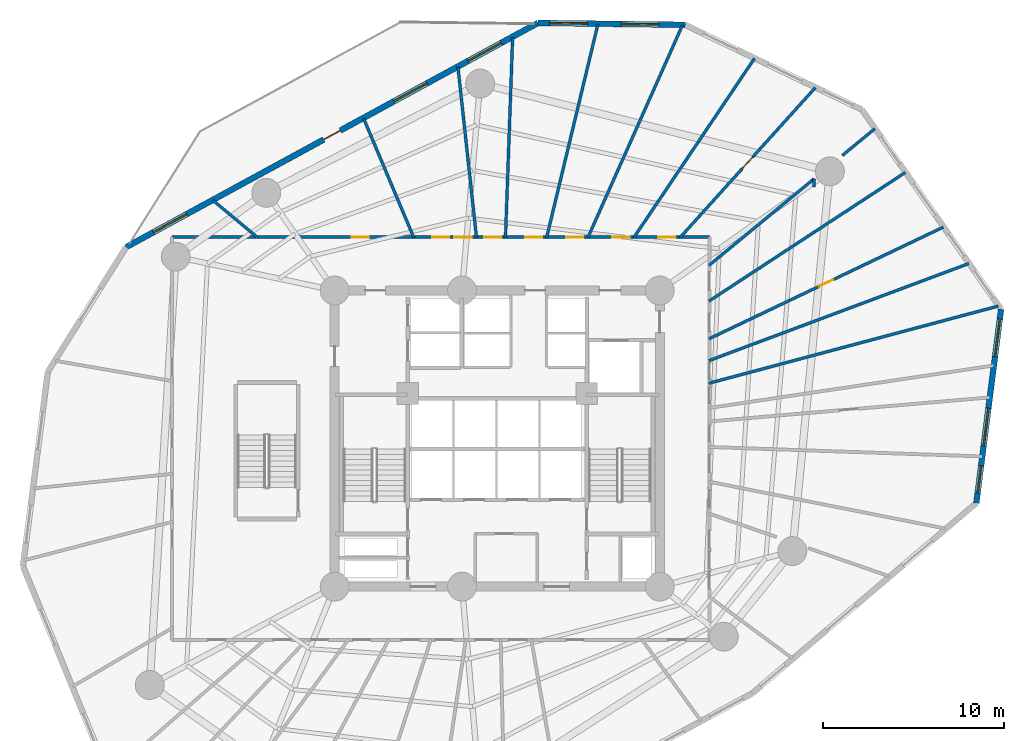
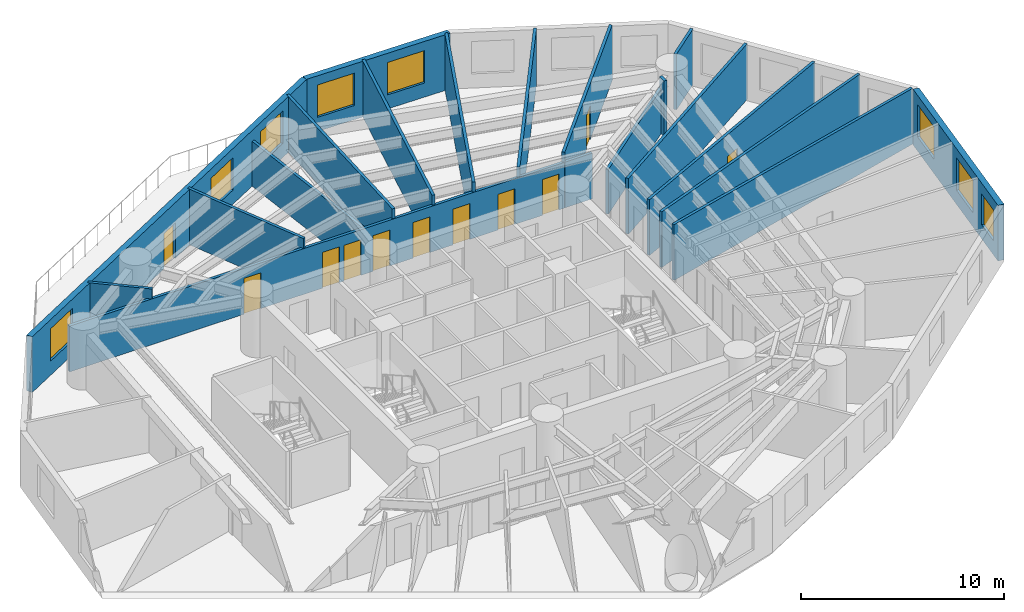
# One storey, part 6 of 9: 19 walls, 11 doors, 8 windows, 19 openings.
"""IFC4 building model written with IfcOpenShell, lengths in metres."""

from ifc_helpers import new_model, si_unit, direction, frame, frame_2d, origin, origin_with_axes, place, context, subcontext, project, spatial, rectangle, extrude, source, transform, mapped, material, layer, layer_set, type_object, element, fill, save


model = new_model("IFC4")

# Units and contexts
model_context = context("Model", 3, precision=1e-05, world=origin(), true_north=direction((0.0, 1.0)))
body_context = subcontext(model_context, "Body", "Model", "MODEL_VIEW")
ifc_project = project(units=[si_unit("LENGTHUNIT", "METRE"), si_unit("AREAUNIT", "SQUARE_METRE"), si_unit("VOLUMEUNIT", "CUBIC_METRE"), si_unit("PLANEANGLEUNIT", "RADIAN"), si_unit("MASSUNIT", "GRAM", prefix="KILO")], contexts=[model_context])

# Site, building, storey
site_placement = place(None, origin())
site = spatial("IfcSite", under=ifc_project, at=site_placement, CompositionType="ELEMENT")
building_placement = place(site_placement, origin())
building = spatial("IfcBuilding", under=site, at=building_placement, Name="Karkom Vertical University and Central Library", CompositionType="ELEMENT")
storey_placement = place(building_placement, frame((0.0, 0.0, 26.5)))
storey = spatial("IfcBuildingStorey", under=building, at=storey_placement, Name="L06", CompositionType="ELEMENT", Elevation=26.5)

# Wall, openings, windows
ifc_material_1 = material(Name="Brick-faced precast concrete C45/55", Category="masonry")
ifc_layer_1 = layer(ifc_material_1, 0.320068359375)
ifc_layer_set_1 = layer_set([ifc_layer_1], Name="Brick-faced precast concrete C45/55")
wall_type_1 = type_object("IfcWallType", Name="ENV-WL-BRK-320", PredefinedType="SOLIDWALL", material=ifc_layer_set_1)
wall_1_placement = place(storey_placement, frame((55.030029296875, 22.92529296875, 0.0), z_axis=(0.0, 0.0, 1.0), x_axis=(0.126495485641, 0.991967182982, 0.0)))
wall_1 = element("IfcWall", 1, at=wall_1_placement, inside=storey, type_object=wall_type_1, Name="Level 06 Brick-Faced Precast Facade Wall 08", PredefinedType="SOLIDWALL", context=body_context, shape_type="SweptSolid", body=[
    extrude(rectangle(XDim=10.829345703125, YDim=0.320068359375, at=frame_2d((5.41455078125, 0.0))), origin(), (0.0, 0.0, 1.0), 3.35009765625),
])
opening_1_placement = place(wall_1_placement, frame((0.580322265625, 0.0, 0.85009765625)))
opening_1 = element("IfcOpeningElement", 2, at=opening_1_placement, cuts=wall_1, Name="Opening WN-05", PredefinedType="OPENING", context=body_context, shape_type="SweptSolid", body=[
    extrude(rectangle(XDim=1.5, YDim=1.85009765625, at=frame_2d((0.75, 0.925048828125))), frame((0.0, 0.169921875, 0.0), z_axis=(0.0, -1.0, 0.0), x_axis=(1.0, 0.0, 0.0)), (0.0, 0.0, 1.0), 0.340087890625),
])
opening_2_placement = place(wall_1_placement, frame((3.194091796875, 0.0, 0.85009765625)))
opening_2 = element("IfcOpeningElement", 3, at=opening_2_placement, cuts=wall_1, Name="Opening WN-03", PredefinedType="OPENING", context=body_context, shape_type="SweptSolid", body=[
    extrude(rectangle(XDim=2.10009765625, YDim=1.949951171875, at=frame_2d((1.050048828125, 0.97509765625))), frame((0.0, 0.169921875, 0.0), z_axis=(0.0, -1.0, 0.0), x_axis=(1.0, 0.0, 0.0)), (0.0, 0.0, 1.0), 0.340087890625),
])
opening_3_placement = place(wall_1_placement, frame((8.167236328125, 0.0, 0.85009765625)))
opening_3 = element("IfcOpeningElement", 4, at=opening_3_placement, cuts=wall_1, Name="Opening WN-03", PredefinedType="OPENING", context=body_context, shape_type="SweptSolid", body=[
    extrude(rectangle(XDim=2.10009765625, YDim=1.949951171875, at=frame_2d((1.050048828125, 0.97509765625))), frame((0.0, 0.169921875, 0.0), z_axis=(0.0, -1.0, 0.0), x_axis=(1.0, 0.0, 0.0)), (0.0, 0.0, 1.0), 0.340087890625),
])
ifc_material_2 = material(Name="Aluminium thermal-break frame with solar-control IGU", Category="aluminium")
window_type_1 = type_object("IfcWindowType", Name="ENV-WIN-WN-03", PartitioningType="SINGLE_PANEL", PredefinedType="WINDOW", material=ifc_material_2)
shared_shape_1 = source(origin_with_axes(), body_context, "Body", "SweptSolid", [
    extrude(rectangle(XDim=2.10009765625, YDim=1.949951171875, at=frame_2d((1.050048828125, 0.97509765625))), frame((0.0, 0.030029296875, 0.0), z_axis=(0.0, -1.0, 0.0), x_axis=(1.0, 0.0, 0.0)), (0.0, 0.0, 1.0), 0.06005859375),
])
window_1_placement = place(opening_2_placement, origin())
window_1 = element("IfcWindow", 5, at=window_1_placement, inside=storey, type_object=window_type_1, Name="Level 06 Punched Window 8.2", OverallHeight=1.949951171875, OverallWidth=2.10009765625, PartitioningType="SINGLE_PANEL", PredefinedType="WINDOW", context=body_context, shape_type="MappedRepresentation", body=[
    mapped(shared_shape_1, transform((0.0, 0.0, 0.0), scale=1.0)),
])
fill(opening_2, window_1)
window_2_placement = place(opening_3_placement, origin())
window_2 = element("IfcWindow", 6, at=window_2_placement, inside=storey, type_object=window_type_1, Name="Level 06 Punched Window 8.3", OverallHeight=1.949951171875, OverallWidth=2.10009765625, PartitioningType="SINGLE_PANEL", PredefinedType="WINDOW", context=body_context, shape_type="MappedRepresentation", body=[
    mapped(shared_shape_1, transform((0.0, 0.0, 0.0), scale=1.0)),
])
fill(opening_3, window_2)
window_type_2 = type_object("IfcWindowType", Name="ENV-WIN-WN-05", PartitioningType="SINGLE_PANEL", PredefinedType="WINDOW", material=ifc_material_2)
shared_shape_2 = source(origin_with_axes(), body_context, "Body", "SweptSolid", [
    extrude(rectangle(XDim=1.5, YDim=1.85009765625, at=frame_2d((0.75, 0.925048828125))), frame((0.0, 0.030029296875, 0.0), z_axis=(0.0, -1.0, 0.0), x_axis=(1.0, 0.0, 0.0)), (0.0, 0.0, 1.0), 0.06005859375),
])
window_3_placement = place(opening_1_placement, origin())
window_3 = element("IfcWindow", 7, at=window_3_placement, inside=storey, type_object=window_type_2, Name="Level 06 Punched Window 8.1", OverallHeight=1.85009765625, OverallWidth=1.5, PartitioningType="SINGLE_PANEL", PredefinedType="WINDOW", context=body_context, shape_type="MappedRepresentation", body=[
    mapped(shared_shape_2, transform((0.0, 0.0, 0.0), scale=1.0)),
])
fill(opening_1, window_3)

wall_2_placement = place(storey_placement, frame((38.91064453125, 49.40966796875, 0.0), z_axis=(0.0, 0.0, 1.0), x_axis=(-0.999916274404, 0.012940022483, 0.0)))
wall_2 = element("IfcWall", 8, at=wall_2_placement, inside=storey, type_object=wall_type_1, Name="Level 06 Brick-Faced Precast Facade Wall 11", PredefinedType="SOLIDWALL", context=body_context, shape_type="SweptSolid", body=[
    extrude(rectangle(XDim=8.150634765625, YDim=0.320068359375, at=frame_2d((4.0751953125, 0.0))), origin(), (0.0, 0.0, 1.0), 3.35009765625),
])
opening_4_placement = place(wall_2_placement, frame((1.457275390625, 0.0, 0.85009765625)))
opening_4 = element("IfcOpeningElement", 9, at=opening_4_placement, cuts=wall_2, Name="Opening WN-03", PredefinedType="OPENING", context=body_context, shape_type="SweptSolid", body=[
    extrude(rectangle(XDim=2.10009765625, YDim=1.949951171875, at=frame_2d((1.050048828125, 0.97509765625))), frame((0.0, 0.169921875, 0.0), z_axis=(0.0, -1.0, 0.0), x_axis=(1.0, 0.0, 0.0)), (0.0, 0.0, 1.0), 0.340087890625),
])
opening_5_placement = place(wall_2_placement, frame((5.4169921875, 0.0, 0.85009765625)))
opening_5 = element("IfcOpeningElement", 10, at=opening_5_placement, cuts=wall_2, Name="Opening WN-03", PredefinedType="OPENING", context=body_context, shape_type="SweptSolid", body=[
    extrude(rectangle(XDim=2.10009765625, YDim=1.949951171875, at=frame_2d((1.050048828125, 0.97509765625))), frame((0.0, 0.169921875, 0.0), z_axis=(0.0, -1.0, 0.0), x_axis=(1.0, 0.0, 0.0)), (0.0, 0.0, 1.0), 0.340087890625),
])
window_4_placement = place(opening_4_placement, origin())
window_4 = element("IfcWindow", 11, at=window_4_placement, inside=storey, type_object=window_type_1, Name="Level 06 Punched Window 11.1", OverallHeight=1.949951171875, OverallWidth=2.10009765625, PartitioningType="SINGLE_PANEL", PredefinedType="WINDOW", context=body_context, shape_type="MappedRepresentation", body=[
    mapped(shared_shape_1, transform((0.0, 0.0, 0.0), scale=1.0)),
])
fill(opening_4, window_4)
window_5_placement = place(opening_5_placement, origin())
window_5 = element("IfcWindow", 12, at=window_5_placement, inside=storey, type_object=window_type_1, Name="Level 06 Punched Window 11.2", OverallHeight=1.949951171875, OverallWidth=2.10009765625, PartitioningType="SINGLE_PANEL", PredefinedType="WINDOW", context=body_context, shape_type="MappedRepresentation", body=[
    mapped(shared_shape_1, transform((0.0, 0.0, 0.0), scale=1.0)),
])
fill(opening_5, window_5)

# Wall, openings, door, windows
wall_3_placement = place(storey_placement, frame((30.7607421875, 49.51513671875, 0.0), z_axis=(0.0, 0.0, 1.0), x_axis=(-0.878317970129, -0.478076922, 0.0)))
wall_3 = element("IfcWall", 13, at=wall_3_placement, inside=storey, type_object=wall_type_1, Name="Level 06 Brick-Faced Precast Facade Wall 12", PredefinedType="SOLIDWALL", context=body_context, shape_type="SweptSolid", body=[
    extrude(rectangle(XDim=25.977294921875, YDim=0.320068359375, at=frame_2d((12.98876953125, 0.0))), origin(), (0.0, 0.0, 1.0), 3.35009765625),
])
opening_6_placement = place(wall_3_placement, frame((2.309326171875, 0.0, 0.85009765625)))
opening_6 = element("IfcOpeningElement", 14, at=opening_6_placement, cuts=wall_3, Name="Opening WN-03", PredefinedType="OPENING", context=body_context, shape_type="SweptSolid", body=[
    extrude(rectangle(XDim=2.10009765625, YDim=1.949951171875, at=frame_2d((1.050048828125, 0.97509765625))), frame((0.0, 0.169921875, 0.0), z_axis=(0.0, -1.0, 0.0), x_axis=(1.0, 0.0, 0.0)), (0.0, 0.0, 1.0), 0.340087890625),
])
opening_7_placement = place(wall_3_placement, frame((6.99755859375, 0.0, 0.85009765625)))
opening_7 = element("IfcOpeningElement", 15, at=opening_7_placement, cuts=wall_3, Name="Opening WN-03", PredefinedType="OPENING", context=body_context, shape_type="SweptSolid", body=[
    extrude(rectangle(XDim=2.10009765625, YDim=1.949951171875, at=frame_2d((1.050048828125, 0.97509765625))), frame((0.0, 0.169921875, 0.0), z_axis=(0.0, -1.0, 0.0), x_axis=(1.0, 0.0, 0.0)), (0.0, 0.0, 1.0), 0.340087890625),
])
opening_8_placement = place(wall_3_placement, frame((22.154052734375, 0.0, 0.85009765625)))
opening_8 = element("IfcOpeningElement", 16, at=opening_8_placement, cuts=wall_3, Name="Opening WN-03", PredefinedType="OPENING", context=body_context, shape_type="SweptSolid", body=[
    extrude(rectangle(XDim=2.10009765625, YDim=1.949951171875, at=frame_2d((1.050048828125, 0.97509765625))), frame((0.0, 0.169921875, 0.0), z_axis=(0.0, -1.0, 0.0), x_axis=(1.0, 0.0, 0.0)), (0.0, 0.0, 1.0), 0.340087890625),
])
opening_9_placement = place(wall_3_placement, frame((12.4638671875, 0.0, 0.0)))
opening_9 = element("IfcOpeningElement", 17, at=opening_9_placement, cuts=wall_3, Name="Opening TD-1", PredefinedType="OPENING", context=body_context, shape_type="SweptSolid", body=[
    extrude(rectangle(XDim=1.050048828125, YDim=2.1201171875, at=frame_2d((0.52490234375, 1.06005859375))), frame((0.0, 0.169921875, 0.0), z_axis=(0.0, -1.0, 0.0), x_axis=(1.0, 0.0, 0.0)), (0.0, 0.0, 1.0), 0.340087890625),
])
ifc_material_3 = material(Name="Thermally broken glazed aluminium terrace door", Category="aluminium")
door_type_1 = type_object("IfcDoorType", Name="ENV-DR-TERR", OperationType="NOTDEFINED", PredefinedType="DOOR", material=ifc_material_3)
shared_shape_3 = source(origin_with_axes(), body_context, "Body", "SweptSolid", [
    extrude(rectangle(XDim=1.050048828125, YDim=2.1201171875, at=frame_2d((0.52490234375, 1.06005859375))), frame((0.0, 0.02490234375, 0.0), z_axis=(0.0, -1.0, 0.0), x_axis=(1.0, 0.0, 0.0)), (0.0, 0.0, 1.0), 0.050048828125),
])
door_1_placement = place(opening_9_placement, origin())
door_1 = element("IfcDoor", 18, at=door_1_placement, inside=storey, type_object=door_type_1, Name="Level 06 Outdoor Terrace Access Door", OperationType="SINGLE_SWING_LEFT", OverallHeight=2.1201171875, OverallWidth=1.050048828125, PredefinedType="DOOR", context=body_context, shape_type="MappedRepresentation", body=[
    mapped(shared_shape_3, transform((0.0, 0.0, 0.0), scale=1.0)),
])
fill(opening_9, door_1)
window_6_placement = place(opening_6_placement, origin())
window_6 = element("IfcWindow", 19, at=window_6_placement, inside=storey, type_object=window_type_1, Name="Level 06 Punched Window 12.1", OverallHeight=1.949951171875, OverallWidth=2.10009765625, PartitioningType="SINGLE_PANEL", PredefinedType="WINDOW", context=body_context, shape_type="MappedRepresentation", body=[
    mapped(shared_shape_1, transform((0.0, 0.0, 0.0), scale=1.0)),
])
fill(opening_6, window_6)
window_7_placement = place(opening_7_placement, origin())
window_7 = element("IfcWindow", 20, at=window_7_placement, inside=storey, type_object=window_type_1, Name="Level 06 Punched Window 12.2", OverallHeight=1.949951171875, OverallWidth=2.10009765625, PartitioningType="SINGLE_PANEL", PredefinedType="WINDOW", context=body_context, shape_type="MappedRepresentation", body=[
    mapped(shared_shape_1, transform((0.0, 0.0, 0.0), scale=1.0)),
])
fill(opening_7, window_7)
window_8_placement = place(opening_8_placement, origin())
window_8 = element("IfcWindow", 21, at=window_8_placement, inside=storey, type_object=window_type_1, Name="Level 06 Punched Window 12.4", OverallHeight=1.949951171875, OverallWidth=2.10009765625, PartitioningType="SINGLE_PANEL", PredefinedType="WINDOW", context=body_context, shape_type="MappedRepresentation", body=[
    mapped(shared_shape_1, transform((0.0, 0.0, 0.0), scale=1.0)),
])
fill(opening_8, window_8)

# Wall, openings, doors
ifc_material_4 = material(Name="Insulated metal-stud drywall 160mm", Category="gypsum")
ifc_layer_2 = layer(ifc_material_4, 0.159912109375)
ifc_layer_set_2 = layer_set([ifc_layer_2], Name="Insulated metal-stud drywall 160mm")
wall_type_2 = type_object("IfcWallType", Name="INT-WL-COR-160", PredefinedType="PARTITIONING", material=ifc_layer_set_2)
wall_4_placement = place(storey_placement, frame((10.5, 37.64990234375, 0.0), z_axis=(0.0, 0.0, 1.0), x_axis=(1.0, 0.0, 0.0)))
wall_4 = element("IfcWall", 22, at=wall_4_placement, inside=storey, type_object=wall_type_2, Name="Level 06 Interior Partition Wall Level 06-CORW-CW-003", PredefinedType="PARTITIONING", context=body_context, shape_type="SweptSolid", body=[
    extrude(rectangle(XDim=29.75, YDim=0.159912109375, at=frame_2d((14.875, 0.0))), origin(), (0.0, 0.0, 1.0), 2.75),
])
opening_10_placement = place(wall_4_placement, frame((26.906494140625, 0.0, 0.0)))
opening_10 = element("IfcOpeningElement", 23, at=opening_10_placement, cuts=wall_4, Name="Opening D-RM1", PredefinedType="OPENING", context=body_context, shape_type="SweptSolid", body=[
    extrude(rectangle(XDim=0.949951171875, YDim=2.14990234375, at=frame_2d((0.47509765625, 1.074951171875))), frame((0.0, 0.08984375, 0.0), z_axis=(0.0, -1.0, 0.0), x_axis=(1.0, 0.0, 0.0)), (0.0, 0.0, 1.0), 0.179931640625),
])
opening_11_placement = place(wall_4_placement, frame((24.377197265625, 0.0, 0.0)))
opening_11 = element("IfcOpeningElement", 24, at=opening_11_placement, cuts=wall_4, Name="Opening D-RM1", PredefinedType="OPENING", context=body_context, shape_type="SweptSolid", body=[
    extrude(rectangle(XDim=0.949951171875, YDim=2.14990234375, at=frame_2d((0.47509765625, 1.074951171875))), frame((0.0, 0.08984375, 0.0), z_axis=(0.0, -1.0, 0.0), x_axis=(1.0, 0.0, 0.0)), (0.0, 0.0, 1.0), 0.179931640625),
])
opening_12_placement = place(wall_4_placement, frame((21.81201171875, 0.0, 0.0)))
opening_12 = element("IfcOpeningElement", 25, at=opening_12_placement, cuts=wall_4, Name="Opening FD-RM2", PredefinedType="OPENING", context=body_context, shape_type="SweptSolid", body=[
    extrude(rectangle(XDim=0.9599609375, YDim=2.14990234375, at=frame_2d((0.47998046875, 1.074951171875))), frame((0.0, 0.08984375, 0.0), z_axis=(0.0, -1.0, 0.0), x_axis=(1.0, 0.0, 0.0)), (0.0, 0.0, 1.0), 0.179931640625),
])
opening_13_placement = place(wall_4_placement, frame((19.547607421875, 0.0, 0.0)))
opening_13 = element("IfcOpeningElement", 26, at=opening_13_placement, cuts=wall_4, Name="Opening D-RM1", PredefinedType="OPENING", context=body_context, shape_type="SweptSolid", body=[
    extrude(rectangle(XDim=0.949951171875, YDim=2.14990234375, at=frame_2d((0.47509765625, 1.074951171875))), frame((0.0, 0.08984375, 0.0), z_axis=(0.0, -1.0, 0.0), x_axis=(1.0, 0.0, 0.0)), (0.0, 0.0, 1.0), 0.179931640625),
])
opening_14_placement = place(wall_4_placement, frame((17.2724609375, 0.0, 0.0)))
opening_14 = element("IfcOpeningElement", 27, at=opening_14_placement, cuts=wall_4, Name="Opening D-RM1", PredefinedType="OPENING", context=body_context, shape_type="SweptSolid", body=[
    extrude(rectangle(XDim=0.949951171875, YDim=2.14990234375, at=frame_2d((0.47509765625, 1.074951171875))), frame((0.0, 0.08984375, 0.0), z_axis=(0.0, -1.0, 0.0), x_axis=(1.0, 0.0, 0.0)), (0.0, 0.0, 1.0), 0.179931640625),
])
opening_15_placement = place(wall_4_placement, frame((15.62548828125, 0.0, 0.0)))
opening_15 = element("IfcOpeningElement", 28, at=opening_15_placement, cuts=wall_4, Name="Opening FD-RM2", PredefinedType="OPENING", context=body_context, shape_type="SweptSolid", body=[
    extrude(rectangle(XDim=0.9599609375, YDim=2.14990234375, at=frame_2d((0.47998046875, 1.074951171875))), frame((0.0, 0.08984375, 0.0), z_axis=(0.0, -1.0, 0.0), x_axis=(1.0, 0.0, 0.0)), (0.0, 0.0, 1.0), 0.179931640625),
])
opening_16_placement = place(wall_4_placement, frame((14.39990234375, 0.0, 0.0)))
opening_16 = element("IfcOpeningElement", 29, at=opening_16_placement, cuts=wall_4, Name="Opening D-RM1", PredefinedType="OPENING", context=body_context, shape_type="SweptSolid", body=[
    extrude(rectangle(XDim=0.949951171875, YDim=2.14990234375, at=frame_2d((0.47509765625, 1.074951171875))), frame((0.0, 0.08984375, 0.0), z_axis=(0.0, -1.0, 0.0), x_axis=(1.0, 0.0, 0.0)), (0.0, 0.0, 1.0), 0.179931640625),
])
opening_17_placement = place(wall_4_placement, frame((9.9375, 0.0, 0.0)))
opening_17 = element("IfcOpeningElement", 30, at=opening_17_placement, cuts=wall_4, Name="Opening D-RM1", PredefinedType="OPENING", context=body_context, shape_type="SweptSolid", body=[
    extrude(rectangle(XDim=0.949951171875, YDim=2.14990234375, at=frame_2d((0.47509765625, 1.074951171875))), frame((0.0, 0.08984375, 0.0), z_axis=(0.0, -1.0, 0.0), x_axis=(1.0, 0.0, 0.0)), (0.0, 0.0, 1.0), 0.179931640625),
])
ifc_material_5 = material(Name="Fire-rated oak veneer door", Category="wood")
door_type_2 = type_object("IfcDoorType", Name="INT-DR-FRM2", OperationType="NOTDEFINED", PredefinedType="DOOR", material=ifc_material_5)
shared_shape_4 = source(origin_with_axes(), body_context, "Body", "SweptSolid", [
    extrude(rectangle(XDim=0.9599609375, YDim=2.14990234375, at=frame_2d((0.47998046875, 1.074951171875))), frame((0.0, 0.02490234375, 0.0), z_axis=(0.0, -1.0, 0.0), x_axis=(1.0, 0.0, 0.0)), (0.0, 0.0, 1.0), 0.050048828125),
])
door_2_placement = place(opening_12_placement, origin())
door_2 = element("IfcDoor", 31, at=door_2_placement, inside=storey, type_object=door_type_2, Name="Level 06 Room Entry Door 240", OperationType="SINGLE_SWING_LEFT", OverallHeight=2.14990234375, OverallWidth=0.9599609375, PredefinedType="DOOR", context=body_context, shape_type="MappedRepresentation", body=[
    mapped(shared_shape_4, transform((0.0, 0.0, 0.0), scale=1.0)),
])
fill(opening_12, door_2)
door_3_placement = place(opening_15_placement, origin())
door_3 = element("IfcDoor", 32, at=door_3_placement, inside=storey, type_object=door_type_2, Name="Level 06 Room Entry Door 270", OperationType="SINGLE_SWING_RIGHT", OverallHeight=2.14990234375, OverallWidth=0.9599609375, PredefinedType="DOOR", context=body_context, shape_type="MappedRepresentation", body=[
    mapped(shared_shape_4, transform((0.0, 0.0, 0.0), scale=1.0)),
])
fill(opening_15, door_3)
ifc_material_6 = material(Name="Solid-core oak veneer door", Category="wood")
door_type_3 = type_object("IfcDoorType", Name="INT-DR-RM1", OperationType="NOTDEFINED", PredefinedType="DOOR", material=ifc_material_6)
shared_shape_5 = source(origin_with_axes(), body_context, "Body", "SweptSolid", [
    extrude(rectangle(XDim=0.949951171875, YDim=2.14990234375, at=frame_2d((0.47509765625, 1.074951171875))), frame((0.0, 0.02490234375, 0.0), z_axis=(0.0, -1.0, 0.0), x_axis=(1.0, 0.0, 0.0)), (0.0, 0.0, 1.0), 0.050048828125),
])
door_4_placement = place(opening_10_placement, origin())
door_4 = element("IfcDoor", 33, at=door_4_placement, inside=storey, type_object=door_type_3, Name="Level 06 Room Entry Door 220", OperationType="SINGLE_SWING_LEFT", OverallHeight=2.14990234375, OverallWidth=0.949951171875, PredefinedType="DOOR", context=body_context, shape_type="MappedRepresentation", body=[
    mapped(shared_shape_5, transform((0.0, 0.0, 0.0), scale=1.0)),
])
fill(opening_10, door_4)
door_5_placement = place(opening_11_placement, origin())
door_5 = element("IfcDoor", 34, at=door_5_placement, inside=storey, type_object=door_type_3, Name="Level 06 Room Entry Door 230", OperationType="SINGLE_SWING_RIGHT", OverallHeight=2.14990234375, OverallWidth=0.949951171875, PredefinedType="DOOR", context=body_context, shape_type="MappedRepresentation", body=[
    mapped(shared_shape_5, transform((0.0, 0.0, 0.0), scale=1.0)),
])
fill(opening_11, door_5)
door_6_placement = place(opening_13_placement, origin())
door_6 = element("IfcDoor", 35, at=door_6_placement, inside=storey, type_object=door_type_3, Name="Level 06 Room Entry Door 250", OperationType="SINGLE_SWING_RIGHT", OverallHeight=2.14990234375, OverallWidth=0.949951171875, PredefinedType="DOOR", context=body_context, shape_type="MappedRepresentation", body=[
    mapped(shared_shape_5, transform((0.0, 0.0, 0.0), scale=1.0)),
])
fill(opening_13, door_6)
door_7_placement = place(opening_14_placement, origin())
door_7 = element("IfcDoor", 36, at=door_7_placement, inside=storey, type_object=door_type_3, Name="Level 06 Room Entry Door 260", OperationType="SINGLE_SWING_LEFT", OverallHeight=2.14990234375, OverallWidth=0.949951171875, PredefinedType="DOOR", context=body_context, shape_type="MappedRepresentation", body=[
    mapped(shared_shape_5, transform((0.0, 0.0, 0.0), scale=1.0)),
])
fill(opening_14, door_7)
door_8_placement = place(opening_16_placement, origin())
door_8 = element("IfcDoor", 37, at=door_8_placement, inside=storey, type_object=door_type_3, Name="Level 06 Room Entry Door 280", OperationType="SINGLE_SWING_LEFT", OverallHeight=2.14990234375, OverallWidth=0.949951171875, PredefinedType="DOOR", context=body_context, shape_type="MappedRepresentation", body=[
    mapped(shared_shape_5, transform((0.0, 0.0, 0.0), scale=1.0)),
])
fill(opening_16, door_8)
door_9_placement = place(opening_17_placement, origin())
door_9 = element("IfcDoor", 38, at=door_9_placement, inside=storey, type_object=door_type_3, Name="Level 06 Room Entry Door 290", OperationType="SINGLE_SWING_RIGHT", OverallHeight=2.14990234375, OverallWidth=0.949951171875, PredefinedType="DOOR", context=body_context, shape_type="MappedRepresentation", body=[
    mapped(shared_shape_5, transform((0.0, 0.0, 0.0), scale=1.0)),
])
fill(opening_17, door_9)

# Walls
wall_5_placement = place(storey_placement, frame((40.20654296875, 29.559326171875, 0.0), z_axis=(0.0, 0.0, 1.0), x_axis=(0.966241529616, 0.257637936736, 0.0)))
element("IfcWall", 39, at=wall_5_placement, inside=storey, type_object=wall_type_2, Name="Level 06 Interior Partition Wall Level 06-PW-021", PredefinedType="PARTITIONING", context=body_context, shape_type="SweptSolid", body=[
    extrude(rectangle(XDim=16.601318359375, YDim=0.159912109375, at=frame_2d((8.30078125, 0.0))), origin(), (0.0, 0.0, 1.0), 3.35009765625),
])
wall_6_placement = place(storey_placement, frame((40.221923828125, 30.815185546875, 0.0), z_axis=(0.0, 0.0, 1.0), x_axis=(0.936757036067, 0.349980364276, 0.0)))
element("IfcWall", 40, at=wall_6_placement, inside=storey, type_object=wall_type_2, Name="Level 06 Interior Partition Wall Level 06-PW-022", PredefinedType="PARTITIONING", context=body_context, shape_type="SweptSolid", body=[
    extrude(rectangle(XDim=15.35791015625, YDim=0.159912109375, at=frame_2d((7.678955078125, 0.0))), origin(), (0.0, 0.0, 1.0), 3.35009765625),
])

# Wall, opening, door
wall_7_placement = place(storey_placement, frame((40.222900390625, 32.021484375, 0.0), z_axis=(0.0, 0.0, 1.0), x_axis=(0.902690033132, 0.430291417629, 0.0)))
wall_7 = element("IfcWall", 41, at=wall_7_placement, inside=storey, type_object=wall_type_2, Name="Level 06 Interior Partition Wall Level 06-PW-023", PredefinedType="PARTITIONING", context=body_context, shape_type="SweptSolid", body=[
    extrude(rectangle(XDim=14.379150390625, YDim=0.159912109375, at=frame_2d((7.189453125, 0.0))), origin(), (0.0, 0.0, 1.0), 3.35009765625),
])
opening_18_placement = place(wall_7_placement, frame((6.759765625, 0.0, 0.0)))
opening_18 = element("IfcOpeningElement", 42, at=opening_18_placement, cuts=wall_7, Name="Opening FD-BTH2", PredefinedType="OPENING", context=body_context, shape_type="SweptSolid", body=[
    extrude(rectangle(XDim=0.860107421875, YDim=2.0400390625, at=frame_2d((0.43017578125, 1.02001953125))), frame((0.0, 0.08984375, 0.0), z_axis=(0.0, -1.0, 0.0), x_axis=(1.0, 0.0, 0.0)), (0.0, 0.0, 1.0), 0.179931640625),
])
ifc_material_7 = material(Name="Fire-rated moisture-resistant oak door", Category="wood")
door_type_4 = type_object("IfcDoorType", Name="INT-DR-FBTH2", OperationType="NOTDEFINED", PredefinedType="DOOR", material=ifc_material_7)
shared_shape_6 = source(origin_with_axes(), body_context, "Body", "SweptSolid", [
    extrude(rectangle(XDim=0.860107421875, YDim=2.0400390625, at=frame_2d((0.43017578125, 1.02001953125))), frame((0.0, 0.02490234375, 0.0), z_axis=(0.0, -1.0, 0.0), x_axis=(1.0, 0.0, 0.0)), (0.0, 0.0, 1.0), 0.050048828125),
])
door_10_placement = place(opening_18_placement, origin())
door_10 = element("IfcDoor", 43, at=door_10_placement, inside=storey, type_object=door_type_4, Name="Level 06 Faculty Consultation and Research Office Entry Door", OperationType="SINGLE_SWING_RIGHT", OverallHeight=2.0400390625, OverallWidth=0.860107421875, PredefinedType="DOOR", context=body_context, shape_type="MappedRepresentation", body=[
    mapped(shared_shape_6, transform((0.0, 0.0, 0.0), scale=1.0)),
])
fill(opening_18, door_10)

# Walls
wall_8_placement = place(storey_placement, frame((40.224853515625, 34.110595703125, 0.0), z_axis=(0.0, 0.0, 1.0), x_axis=(0.836442719116, 0.548054356463, 0.0)))
element("IfcWall", 44, at=wall_8_placement, inside=storey, type_object=wall_type_2, Name="Level 06 Interior Partition Wall Level 06-PW-024", PredefinedType="PARTITIONING", context=body_context, shape_type="SweptSolid", body=[
    extrude(rectangle(XDim=12.99658203125, YDim=0.159912109375, at=frame_2d((6.498291015625, 0.0))), origin(), (0.0, 0.0, 1.0), 3.35009765625),
])
wall_9_placement = place(storey_placement, frame((33.51171875, 37.60888671875, 0.0), z_axis=(0.0, 0.0, 1.0), x_axis=(0.406737794038, 0.9135449452, 0.0)))
element("IfcWall", 45, at=wall_9_placement, inside=storey, type_object=wall_type_2, Name="Level 06 Interior Partition Wall Level 06-PW-030", PredefinedType="PARTITIONING", context=body_context, shape_type="SweptSolid", body=[
    extrude(rectangle(XDim=12.886474609375, YDim=0.159912109375, at=frame_2d((6.443359375, 0.0))), origin(), (0.0, 0.0, 1.0), 3.35009765625),
])
wall_10_placement = place(storey_placement, frame((31.23388671875, 37.620849609375, 0.0), z_axis=(0.0, 0.0, 1.0), x_axis=(0.233635653237, 0.972324216266, 0.0)))
element("IfcWall", 46, at=wall_10_placement, inside=storey, type_object=wall_type_2, Name="Level 06 Interior Partition Wall Level 06-PW-031", PredefinedType="PARTITIONING", context=body_context, shape_type="SweptSolid", body=[
    extrude(rectangle(XDim=12.161376953125, YDim=0.159912109375, at=frame_2d((6.08056640625, 0.0))), origin(), (0.0, 0.0, 1.0), 3.35009765625),
])
wall_11_placement = place(storey_placement, frame((36.062255859375, 37.625, 0.0), z_axis=(0.0, 0.0, 1.0), x_axis=(0.558468232685, 0.829525908626, 0.0)))
element("IfcWall", 47, at=wall_11_placement, inside=storey, type_object=wall_type_2, Name="Level 06 Interior Partition Wall Level 06-PW-029", PredefinedType="PARTITIONING", context=body_context, shape_type="SweptSolid", body=[
    extrude(rectangle(XDim=11.95849609375, YDim=0.159912109375, at=frame_2d((5.979248046875, 0.0))), origin(), (0.0, 0.0, 1.0), 3.35009765625),
])

# Wall, opening, door
wall_12_placement = place(storey_placement, frame((38.61083984375, 37.61669921875, 0.0), z_axis=(0.0, 0.0, 1.0), x_axis=(0.669895621774, 0.742455288841, 0.0)))
wall_12 = element("IfcWall", 48, at=wall_12_placement, inside=storey, type_object=wall_type_2, Name="Level 06 Interior Partition Wall Level 06-PW-028", PredefinedType="PARTITIONING", context=body_context, shape_type="SweptSolid", body=[
    extrude(rectangle(XDim=11.1943359375, YDim=0.159912109375, at=frame_2d((5.59716796875, 0.0))), origin(), (0.0, 0.0, 1.0), 3.35009765625),
])
opening_19_placement = place(wall_12_placement, frame((5.1669921875, 0.0, 0.0)))
opening_19 = element("IfcOpeningElement", 49, at=opening_19_placement, cuts=wall_12, Name="Opening FD-BTH2", PredefinedType="OPENING", context=body_context, shape_type="SweptSolid", body=[
    extrude(rectangle(XDim=0.860107421875, YDim=2.0400390625, at=frame_2d((0.43017578125, 1.02001953125))), frame((0.0, 0.08984375, 0.0), z_axis=(0.0, -1.0, 0.0), x_axis=(1.0, 0.0, 0.0)), (0.0, 0.0, 1.0), 0.179931640625),
])
door_11_placement = place(opening_19_placement, origin())
door_11 = element("IfcDoor", 50, at=door_11_placement, inside=storey, type_object=door_type_4, Name="Level 06 Faculty Consultation and Research Office Entry Door", OperationType="SINGLE_SWING_LEFT", OverallHeight=2.0400390625, OverallWidth=0.860107421875, PredefinedType="DOOR", context=body_context, shape_type="MappedRepresentation", body=[
    mapped(shared_shape_6, transform((0.0, 0.0, 0.0), scale=1.0)),
])
fill(opening_19, door_11)

# Walls
wall_13_placement = place(storey_placement, frame((28.956298828125, 37.60498046875, 0.0), z_axis=(0.0, 0.0, 1.0), x_axis=(0.035658616268, 0.999364029314, 0.0)))
element("IfcWall", 51, at=wall_13_placement, inside=storey, type_object=wall_type_2, Name="Level 06 Interior Partition Wall Level 06-PW-032", PredefinedType="PARTITIONING", context=body_context, shape_type="SweptSolid", body=[
    extrude(rectangle(XDim=11.112060546875, YDim=0.159912109375, at=frame_2d((5.55615234375, 0.0))), origin(), (0.0, 0.0, 1.0), 3.35009765625),
])
wall_14_placement = place(storey_placement, frame((27.35400390625, 37.605224609375, 0.0), z_axis=(0.0, 0.0, 1.0), x_axis=(-0.108015642545, 0.99414919452, 0.0)))
element("IfcWall", 52, at=wall_14_placement, inside=storey, type_object=wall_type_2, Name="Level 06 Interior Partition Wall Level 06-PW-033", PredefinedType="PARTITIONING", context=body_context, shape_type="SweptSolid", body=[
    extrude(rectangle(XDim=9.517822265625, YDim=0.159912109375, at=frame_2d((4.7587890625, 0.0))), origin(), (0.0, 0.0, 1.0), 2.699951171875),
])
wall_15_placement = place(storey_placement, frame((40.226806640625, 36.089111328125, 0.0), z_axis=(0.0, 0.0, 1.0), x_axis=(0.771628936431, 0.636072939577, 0.0)))
element("IfcWall", 53, at=wall_15_placement, inside=storey, type_object=wall_type_2, Name="Level 06 Interior Partition Wall Level 06-PW-025", PredefinedType="PARTITIONING", context=body_context, shape_type="SweptSolid", body=[
    extrude(rectangle(XDim=7.53369140625, YDim=0.159912109375, at=frame_2d((3.766845703125, 0.0))), origin(), (0.0, 0.0, 1.0), 2.699951171875),
])
wall_16_placement = place(storey_placement, frame((23.881591796875, 37.622314453125, 0.0), z_axis=(0.0, 0.0, 1.0), x_axis=(-0.388073750716, 0.92162832205, 0.0)))
element("IfcWall", 54, at=wall_16_placement, inside=storey, type_object=wall_type_2, Name="Level 06 Interior Partition Wall Level 06-PW-035", PredefinedType="PARTITIONING", context=body_context, shape_type="SweptSolid", body=[
    extrude(rectangle(XDim=7.16748046875, YDim=0.159912109375, at=frame_2d((3.583740234375, 0.0))), origin(), (0.0, 0.0, 1.0), 3.35009765625),
])
wall_17_placement = place(storey_placement, frame((15.24560546875, 37.62109375, 0.0), z_axis=(0.0, 0.0, 1.0), x_axis=(-0.768270881878, 0.640124872238, 0.0)))
element("IfcWall", 55, at=wall_17_placement, inside=storey, type_object=wall_type_2, Name="Level 06 Interior Partition Wall Level 06-PW-036", PredefinedType="PARTITIONING", context=body_context, shape_type="SweptSolid", body=[
    extrude(rectangle(XDim=3.227294921875, YDim=0.159912109375, at=frame_2d((1.61376953125, 0.0))), origin(), (0.0, 0.0, 1.0), 3.35009765625),
])
wall_18_placement = place(storey_placement, frame((47.61083984375, 42.176025390625, 0.0), z_axis=(0.0, 0.0, 1.0), x_axis=(0.771572789391, 0.636141046209, 0.0)))
element("IfcWall", 56, at=wall_18_placement, inside=storey, type_object=wall_type_2, Name="Level 06 Interior Partition Wall Level 06-PW-027", PredefinedType="PARTITIONING", context=body_context, shape_type="SweptSolid", body=[
    extrude(rectangle(XDim=2.3271484375, YDim=0.159912109375, at=frame_2d((1.16357421875, 0.0))), origin(), (0.0, 0.0, 1.0), 3.35009765625),
])
wall_19_placement = place(storey_placement, frame((46.0400390625, 40.881103515625, 0.0), z_axis=(0.0, 0.0, 1.0), x_axis=(0.0, -1.0, 0.0)))
element("IfcWall", 57, at=wall_19_placement, inside=storey, type_object=wall_type_2, Name="Level 06 Interior Partition Wall Level 06-PW-026", PredefinedType="PARTITIONING", context=body_context, shape_type="SweptSolid", body=[
    extrude(rectangle(XDim=0.465087890625, YDim=0.159912109375, at=frame_2d((0.232421875, 0.0))), origin(), (0.0, 0.0, 1.0), 3.35009765625),
])

save(model, "model.ifc")
